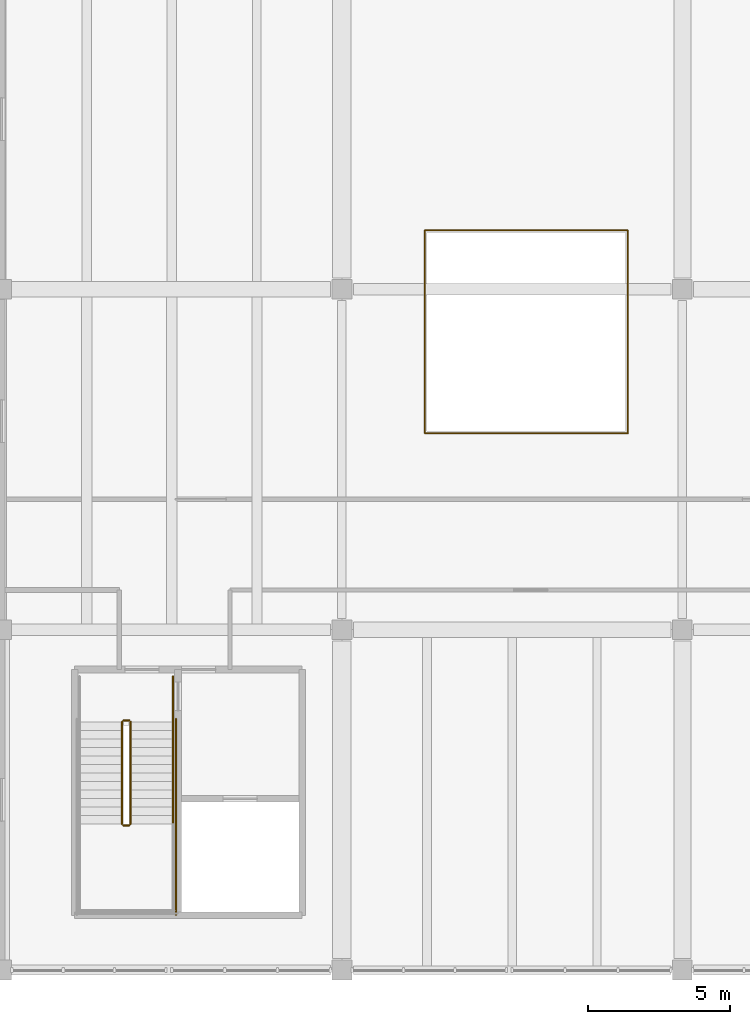
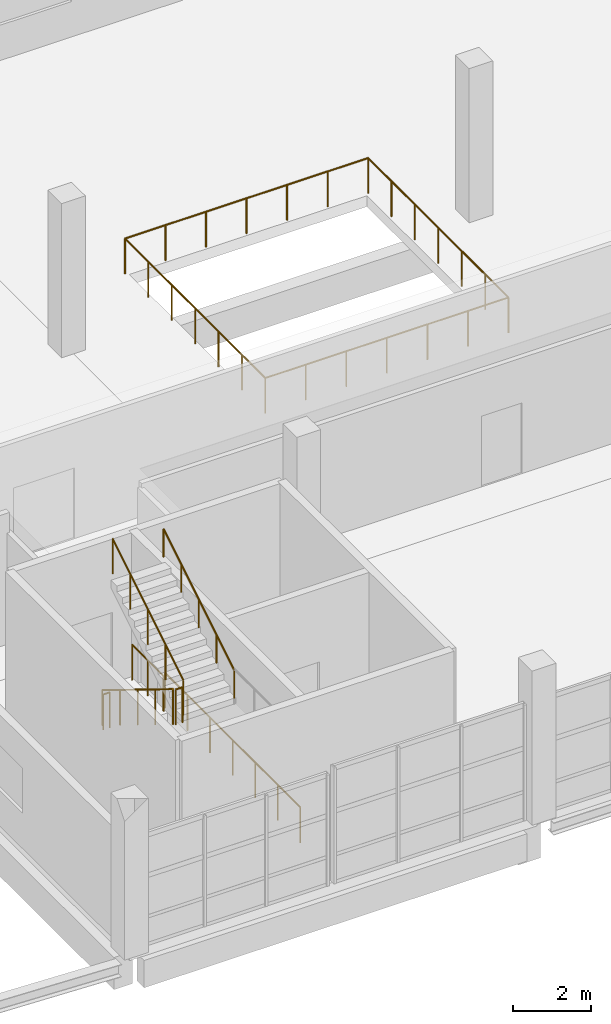
# One storey, part 45 of 49: 8 railings.
"""IFC4 building model written with IfcOpenShell, lengths in metres."""

from ifc_helpers import new_model, si_unit, direction, frame, origin, origin_2d, place, context, subcontext, project, spatial, circle, extrude, material, type_object, element, save


model = new_model("IFC4")

# Units and contexts
model_context = context("Model", 3, precision=1e-05, world=origin(), true_north=direction((0.0, 1.0)))
body_context = subcontext(model_context, "Body", "Model", "MODEL_VIEW")
ifc_project = project(units=[si_unit("LENGTHUNIT", "METRE"), si_unit("AREAUNIT", "SQUARE_METRE"), si_unit("VOLUMEUNIT", "CUBIC_METRE"), si_unit("PLANEANGLEUNIT", "RADIAN"), si_unit("MASSUNIT", "GRAM", prefix="KILO")], contexts=[model_context])

# Site, building, storey
site_placement = place(None, origin())
site = spatial("IfcSite", under=ifc_project, at=site_placement, CompositionType="ELEMENT")
building_placement = place(site_placement, origin())
building = spatial("IfcBuilding", under=site, at=building_placement, Name="Kamomehara Wholesale Market", CompositionType="ELEMENT")
storey_placement = place(building_placement, frame((0.0, 0.0, 11.39990234375)))
storey = spatial("IfcBuildingStorey", under=building, at=storey_placement, Name="L02", CompositionType="ELEMENT", Elevation=11.39990234375)

# Railings
ifc_material_1 = material(Name="Steel SN400B", Category="steel")
railing_type_1 = type_object("IfcRailingType", Name="RAL-HND-900", PredefinedType="HANDRAIL", material=ifc_material_1)
railing_1_placement = place(storey_placement, frame((114.050048828125, 17.14990234375, 2.584716796875)))
element("IfcRailing", 1, at=railing_1_placement, inside=storey, type_object=railing_type_1, Name="L02 ST-07 stair handrail 2", PredefinedType="HANDRAIL", context=body_context, shape_type="SweptSolid", body=[
    extrude(circle(Radius=0.02392578125, at=origin_2d()), frame((0.0, 0.0, 0.8759765625), z_axis=(0.0, 0.85167021472, 0.524078090897), x_axis=(-1.0, 0.0, 0.0)), (0.0, 0.0, 1.0), 4.22705078125),
    extrude(circle(Radius=0.02099609375, at=origin_2d()), origin(), (0.0, 0.0, 1.0), 0.851806640625),
    extrude(circle(Radius=0.02099609375, at=origin_2d()), frame((0.0, 0.89990234375, 0.5537109375)), (0.0, 0.0, 1.0), 0.851806640625),
    extrude(circle(Radius=0.02099609375, at=origin_2d()), frame((0.0, 1.800048828125, 1.107666015625)), (0.0, 0.0, 1.0), 0.851806640625),
    extrude(circle(Radius=0.02099609375, at=origin_2d()), frame((0.0, 2.7001953125, 1.66162109375)), (0.0, 0.0, 1.0), 0.851806640625),
    extrude(circle(Radius=0.02099609375, at=origin_2d()), frame((0.0, 3.60009765625, 2.21533203125)), (0.0, 0.0, 1.0), 0.851806640625),
])
ifc_material_2 = material(Name="Steel SN400B", Category="steel")
railing_type_2 = type_object("IfcRailingType", Name="RAL-INT-1100", PredefinedType="BALUSTRADE", material=ifc_material_2)
railing_2_placement = place(storey_placement, frame((112.25, 20.75, 0.184814453125)))
element("IfcRailing", 2, at=railing_2_placement, inside=storey, type_object=railing_type_2, Name="L02 ST-07 stair guard 1", PredefinedType="BALUSTRADE", context=body_context, shape_type="SweptSolid", body=[
    extrude(circle(Radius=0.02392578125, at=origin_2d()), frame((0.0, 0.0, 1.09619140625), z_axis=(0.0, -0.85167021472, 0.524078090897), x_axis=(1.0, 0.0, 0.0)), (0.0, 0.0, 1.0), 4.22705078125),
    extrude(circle(Radius=0.02099609375, at=origin_2d()), origin(), (0.0, 0.0, 1.0), 1.072021484375),
    extrude(circle(Radius=0.02099609375, at=origin_2d()), frame((0.0, -0.89990234375, 0.5537109375)), (0.0, 0.0, 1.0), 1.072021484375),
    extrude(circle(Radius=0.02099609375, at=origin_2d()), frame((0.0, -1.800048828125, 1.107666015625)), (0.0, 0.0, 1.0), 1.072021484375),
    extrude(circle(Radius=0.02099609375, at=origin_2d()), frame((0.0, -2.7001953125, 1.66162109375)), (0.0, 0.0, 1.0), 1.072021484375),
    extrude(circle(Radius=0.02099609375, at=origin_2d()), frame((0.0, -3.60009765625, 2.21533203125)), (0.0, 0.0, 1.0), 1.072021484375),
])
railing_3_placement = place(storey_placement, frame((112.300048828125, 17.10009765625, 2.400146484375)))
element("IfcRailing", 3, at=railing_3_placement, inside=storey, type_object=railing_type_2, Name="L02 ST-07 stair guard 2", PredefinedType="BALUSTRADE", context=body_context, shape_type="SweptSolid", body=[
    extrude(circle(Radius=0.02392578125, at=origin_2d()), frame((0.0, 0.0, 1.09619140625), z_axis=(1.0, 0.0, 0.0), x_axis=(0.0, 1.0, 0.0)), (0.0, 0.0, 1.0), 0.199951171875),
    extrude(circle(Radius=0.02099609375, at=origin_2d()), origin(), (0.0, 0.0, 1.0), 1.072021484375),
    extrude(circle(Radius=0.02099609375, at=origin_2d()), frame((0.199951171875, 0.0, 0.0)), (0.0, 0.0, 1.0), 1.072021484375),
])
railing_4_placement = place(storey_placement, frame((112.550048828125, 17.14990234375, 2.584716796875)))
element("IfcRailing", 4, at=railing_4_placement, inside=storey, type_object=railing_type_2, Name="L02 ST-07 stair guard 6", PredefinedType="BALUSTRADE", context=body_context, shape_type="SweptSolid", body=[
    extrude(circle(Radius=0.02392578125, at=origin_2d()), frame((0.0, 0.0, 1.09619140625), z_axis=(0.0, 0.85167021472, 0.524078090897), x_axis=(-1.0, 0.0, 0.0)), (0.0, 0.0, 1.0), 4.22705078125),
    extrude(circle(Radius=0.02099609375, at=origin_2d()), origin(), (0.0, 0.0, 1.0), 1.072021484375),
    extrude(circle(Radius=0.02099609375, at=origin_2d()), frame((0.0, 0.89990234375, 0.5537109375)), (0.0, 0.0, 1.0), 1.072021484375),
    extrude(circle(Radius=0.02099609375, at=origin_2d()), frame((0.0, 1.800048828125, 1.107666015625)), (0.0, 0.0, 1.0), 1.072021484375),
    extrude(circle(Radius=0.02099609375, at=origin_2d()), frame((0.0, 2.7001953125, 1.66162109375)), (0.0, 0.0, 1.0), 1.072021484375),
    extrude(circle(Radius=0.02099609375, at=origin_2d()), frame((0.0, 3.60009765625, 2.21533203125)), (0.0, 0.0, 1.0), 1.072021484375),
])
railing_5_placement = place(storey_placement, frame((112.300048828125, 20.800048828125, 0.0)))
element("IfcRailing", 5, at=railing_5_placement, inside=storey, type_object=railing_type_2, Name="L02 ST-07 stair guard 7", PredefinedType="BALUSTRADE", context=body_context, shape_type="SweptSolid", body=[
    extrude(circle(Radius=0.02392578125, at=origin_2d()), frame((0.0, 0.0, 1.09619140625), z_axis=(1.0, 0.0, 0.0), x_axis=(0.0, 1.0, 0.0)), (0.0, 0.0, 1.0), 0.199951171875),
    extrude(circle(Radius=0.02099609375, at=origin_2d()), origin(), (0.0, 0.0, 1.0), 1.072021484375),
    extrude(circle(Radius=0.02099609375, at=origin_2d()), frame((0.199951171875, 0.0, 0.0)), (0.0, 0.0, 1.0), 1.072021484375),
])
railing_6_placement = place(storey_placement, frame((114.050048828125, 22.35009765625, 0.0)))
element("IfcRailing", 6, at=railing_6_placement, inside=storey, type_object=railing_type_2, Name="L02 ST-07 stair guard 9", PredefinedType="BALUSTRADE", context=body_context, shape_type="SweptSolid", body=[
    extrude(circle(Radius=0.02392578125, at=origin_2d()), frame((0.0, 0.0, 1.09619140625), z_axis=(0.0, -1.0, 0.0), x_axis=(1.0, 0.0, 0.0)), (0.0, 0.0, 1.0), 1.60009765625),
    extrude(circle(Radius=0.02099609375, at=origin_2d()), origin(), (0.0, 0.0, 1.0), 1.072021484375),
    extrude(circle(Radius=0.02099609375, at=origin_2d()), frame((0.0, -0.800048828125, 0.0)), (0.0, 0.0, 1.0), 1.072021484375),
    extrude(circle(Radius=0.02099609375, at=origin_2d()), frame((0.0, -1.60009765625, 0.0)), (0.0, 0.0, 1.0), 1.072021484375),
])
railing_7_placement = place(storey_placement, frame((114.14990234375, 20.85009765625, 0.0)))
element("IfcRailing", 7, at=railing_7_placement, inside=storey, type_object=railing_type_2, Name="L02 ST-07 stair guard 11", PredefinedType="BALUSTRADE", context=body_context, shape_type="SweptSolid", body=[
    extrude(circle(Radius=0.02392578125, at=origin_2d()), frame((0.0, 0.0, 1.09619140625), z_axis=(0.0, -1.0, 0.0), x_axis=(1.0, 0.0, 0.0)), (0.0, 0.0, 1.0), 6.900146484375),
    extrude(circle(Radius=0.02099609375, at=origin_2d()), origin(), (0.0, 0.0, 1.0), 1.072021484375),
    extrude(circle(Radius=0.02099609375, at=origin_2d()), frame((0.0, -1.14990234375, 0.0)), (0.0, 0.0, 1.0), 1.072021484375),
    extrude(circle(Radius=0.02099609375, at=origin_2d()), frame((0.0, -2.300048828125, 0.0)), (0.0, 0.0, 1.0), 1.072021484375),
    extrude(circle(Radius=0.02099609375, at=origin_2d()), frame((0.0, -3.4501953125, 0.0)), (0.0, 0.0, 1.0), 1.072021484375),
    extrude(circle(Radius=0.02099609375, at=origin_2d()), frame((0.0, -4.60009765625, 0.0)), (0.0, 0.0, 1.0), 1.072021484375),
    extrude(circle(Radius=0.02099609375, at=origin_2d()), frame((0.0, -5.75, 0.0)), (0.0, 0.0, 1.0), 1.072021484375),
    extrude(circle(Radius=0.02099609375, at=origin_2d()), frame((0.0, -6.900146484375, 0.0)), (0.0, 0.0, 1.0), 1.072021484375),
])
railing_8_placement = place(storey_placement, frame((130.080078125, 30.919921875, 0.0)))
element("IfcRailing", 8, at=railing_8_placement, inside=storey, type_object=railing_type_2, Name="Atrium void guard L02 8", PredefinedType="BALUSTRADE", context=body_context, shape_type="SweptSolid", body=[
    extrude(circle(Radius=0.02392578125, at=origin_2d()), frame((0.0, 0.0, 1.09619140625), z_axis=(-1.0, 0.0, 0.0), x_axis=(0.0, -1.0, 0.0)), (0.0, 0.0, 1.0), 7.16015625),
    extrude(circle(Radius=0.02392578125, at=origin_2d()), frame((-7.16015625, 0.0, 1.09619140625), z_axis=(0.0, 1.0, 0.0), x_axis=(-1.0, 0.0, 0.0)), (0.0, 0.0, 1.0), 7.16015625),
    extrude(circle(Radius=0.02392578125, at=origin_2d()), frame((-7.16015625, 7.16015625, 1.09619140625), z_axis=(1.0, 0.0, 0.0), x_axis=(0.0, 1.0, 0.0)), (0.0, 0.0, 1.0), 7.16015625),
    extrude(circle(Radius=0.02392578125, at=origin_2d()), frame((0.0, 7.16015625, 1.09619140625), z_axis=(0.0, -1.0, 0.0), x_axis=(1.0, 0.0, 0.0)), (0.0, 0.0, 1.0), 7.16015625),
    extrude(circle(Radius=0.02099609375, at=origin_2d()), origin(), (0.0, 0.0, 1.0), 1.072021484375),
    extrude(circle(Radius=0.02099609375, at=origin_2d()), frame((-1.193359375, 0.0, 0.0)), (0.0, 0.0, 1.0), 1.072021484375),
    extrude(circle(Radius=0.02099609375, at=origin_2d()), frame((-2.38671875, 0.0, 0.0)), (0.0, 0.0, 1.0), 1.072021484375),
    extrude(circle(Radius=0.02099609375, at=origin_2d()), frame((-3.580078125, 0.0, 0.0)), (0.0, 0.0, 1.0), 1.072021484375),
    extrude(circle(Radius=0.02099609375, at=origin_2d()), frame((-4.7734375, 0.0, 0.0)), (0.0, 0.0, 1.0), 1.072021484375),
    extrude(circle(Radius=0.02099609375, at=origin_2d()), frame((-5.966796875, 0.0, 0.0)), (0.0, 0.0, 1.0), 1.072021484375),
    extrude(circle(Radius=0.02099609375, at=origin_2d()), frame((-7.16015625, 0.0, 0.0)), (0.0, 0.0, 1.0), 1.072021484375),
    extrude(circle(Radius=0.02099609375, at=origin_2d()), frame((-7.16015625, 1.193359375, 0.0)), (0.0, 0.0, 1.0), 1.072021484375),
    extrude(circle(Radius=0.02099609375, at=origin_2d()), frame((-7.16015625, 2.38671875, 0.0)), (0.0, 0.0, 1.0), 1.072021484375),
    extrude(circle(Radius=0.02099609375, at=origin_2d()), frame((-7.16015625, 3.580078125, 0.0)), (0.0, 0.0, 1.0), 1.072021484375),
    extrude(circle(Radius=0.02099609375, at=origin_2d()), frame((-7.16015625, 4.7734375, 0.0)), (0.0, 0.0, 1.0), 1.072021484375),
    extrude(circle(Radius=0.02099609375, at=origin_2d()), frame((-7.16015625, 5.966796875, 0.0)), (0.0, 0.0, 1.0), 1.072021484375),
    extrude(circle(Radius=0.02099609375, at=origin_2d()), frame((-7.16015625, 7.16015625, 0.0)), (0.0, 0.0, 1.0), 1.072021484375),
    extrude(circle(Radius=0.02099609375, at=origin_2d()), frame((-5.966796875, 7.16015625, 0.0)), (0.0, 0.0, 1.0), 1.072021484375),
    extrude(circle(Radius=0.02099609375, at=origin_2d()), frame((-4.7734375, 7.16015625, 0.0)), (0.0, 0.0, 1.0), 1.072021484375),
    extrude(circle(Radius=0.02099609375, at=origin_2d()), frame((-3.580078125, 7.16015625, 0.0)), (0.0, 0.0, 1.0), 1.072021484375),
    extrude(circle(Radius=0.02099609375, at=origin_2d()), frame((-2.38671875, 7.16015625, 0.0)), (0.0, 0.0, 1.0), 1.072021484375),
    extrude(circle(Radius=0.02099609375, at=origin_2d()), frame((-1.193359375, 7.16015625, 0.0)), (0.0, 0.0, 1.0), 1.072021484375),
    extrude(circle(Radius=0.02099609375, at=origin_2d()), frame((0.0, 7.16015625, 0.0)), (0.0, 0.0, 1.0), 1.072021484375),
    extrude(circle(Radius=0.02099609375, at=origin_2d()), frame((0.0, 5.966796875, 0.0)), (0.0, 0.0, 1.0), 1.072021484375),
    extrude(circle(Radius=0.02099609375, at=origin_2d()), frame((0.0, 4.7734375, 0.0)), (0.0, 0.0, 1.0), 1.072021484375),
    extrude(circle(Radius=0.02099609375, at=origin_2d()), frame((0.0, 3.580078125, 0.0)), (0.0, 0.0, 1.0), 1.072021484375),
    extrude(circle(Radius=0.02099609375, at=origin_2d()), frame((0.0, 2.38671875, 0.0)), (0.0, 0.0, 1.0), 1.072021484375),
    extrude(circle(Radius=0.02099609375, at=origin_2d()), frame((0.0, 1.193359375, 0.0)), (0.0, 0.0, 1.0), 1.072021484375),
])

save(model, "model.ifc")
